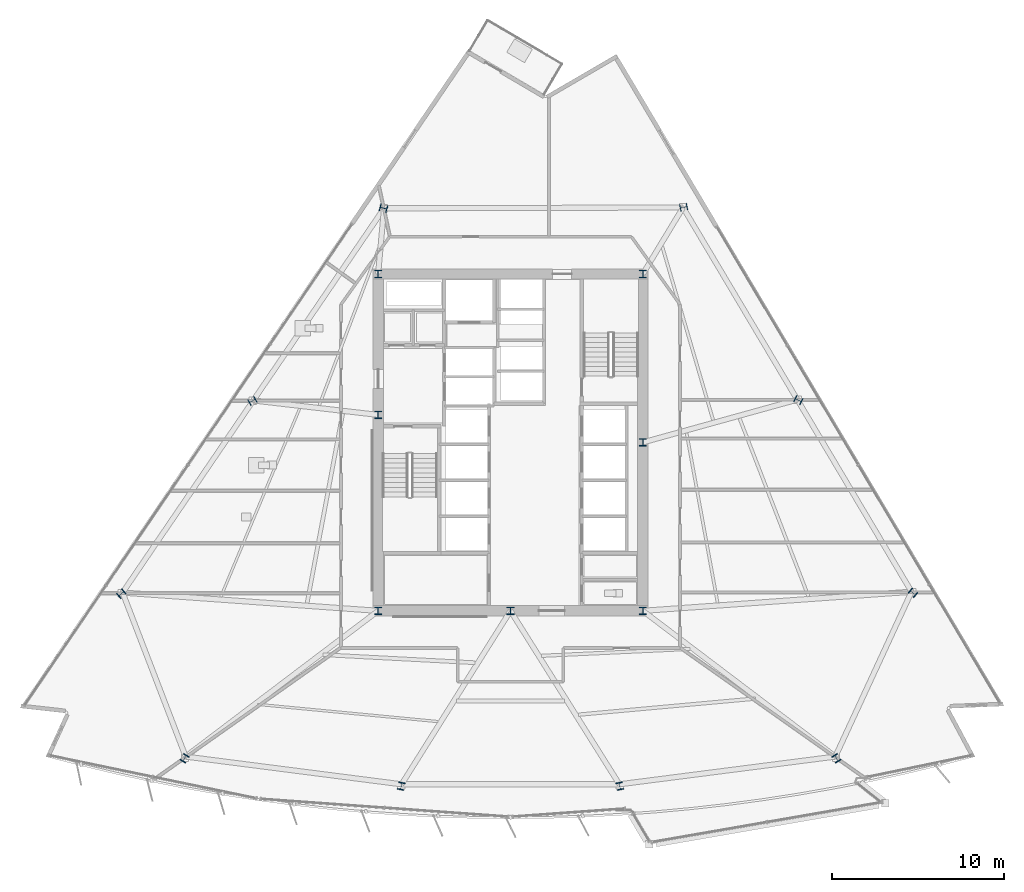
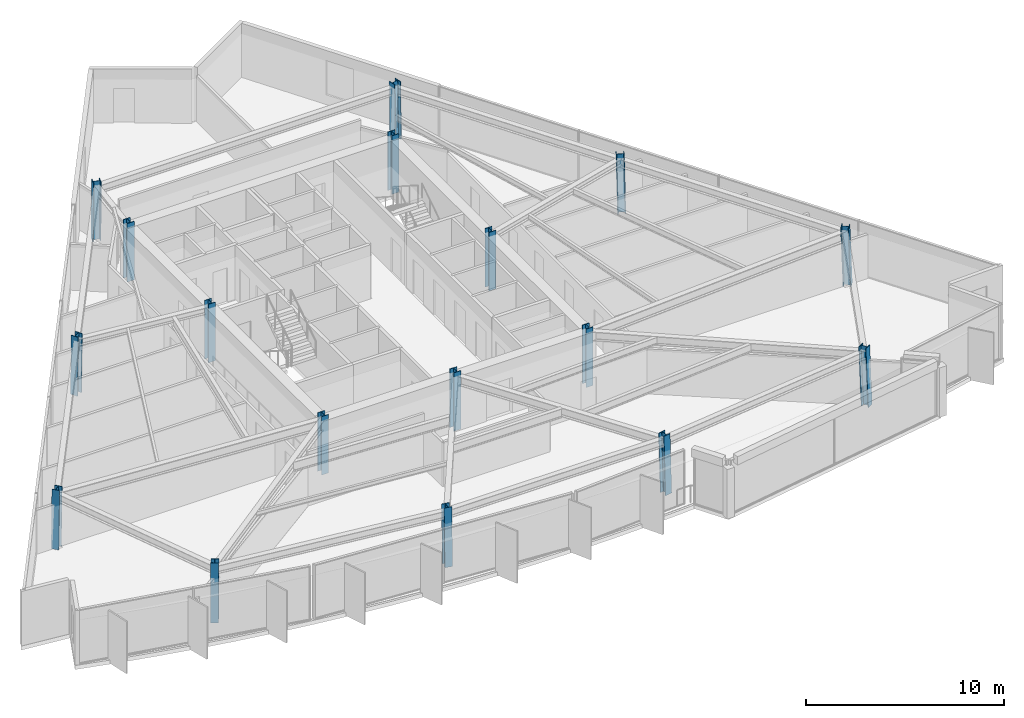
# One storey, part 1 of 15: 17 columns.
"""IFC4 building model written with IfcOpenShell, lengths in metres."""

from ifc_helpers import new_model, si_unit, direction, frame, origin, origin_2d, place, context, subcontext, project, spatial, i_section, extrude, material, material_profile, profile_set, type_object, element, save


model = new_model("IFC4")

# Units and contexts
model_context = context("Model", 3, precision=1e-05, world=origin(), true_north=direction((0.0, 1.0)))
body_context = subcontext(model_context, "Body", "Model", "MODEL_VIEW")
ifc_project = project(units=[si_unit("LENGTHUNIT", "METRE"), si_unit("AREAUNIT", "SQUARE_METRE"), si_unit("VOLUMEUNIT", "CUBIC_METRE"), si_unit("PLANEANGLEUNIT", "RADIAN"), si_unit("MASSUNIT", "GRAM", prefix="KILO")], contexts=[model_context])

# Site, building, storey
site_placement = place(None, origin())
site = spatial("IfcSite", under=ifc_project, at=site_placement, CompositionType="ELEMENT")
building_placement = place(site_placement, origin())
building = spatial("IfcBuilding", under=site, at=building_placement, Name="Savorim Split Tower", CompositionType="ELEMENT")
storey_placement = place(building_placement, frame((0.0, 0.0, 96.89990234375)))
storey = spatial("IfcBuildingStorey", under=building, at=storey_placement, Name="L25", CompositionType="ELEMENT", Elevation=96.89990234375)

# Columns
ifc_material = material(Name="Steel S460", Category="steel")
ifc_material_profile = material_profile(ifc_material, i_section(OverallWidth=0.408935546875, OverallDepth=0.425048828125, WebThickness=0.020751953125, FlangeThickness=0.033935546875, FilletRadius=0.014892578125, at=origin_2d()), Name="HD 400x421")
ifc_profile_set = profile_set([ifc_material_profile], Name="Steel S460")
column_type = type_object("IfcColumnType", Name="COL-HD-421", PredefinedType="COLUMN", material=ifc_profile_set)
for number, where, z_axis, x_axis, name in (
    (1, (-7.699951171875, -9.39990234375, 0.0), (0.0, 0.0, 1.0), (1.0, 0.0, 0.0), "L25 Core Structural Column TC-C1"),
    (2, (7.699951171875, -9.39990234375, 0.0), (0.0, 0.0, 1.0), (1.0, 0.0, 0.0), "L25 Core Structural Column TC-C2"),
    (3, (7.699951171875, 10.199951171875, 0.0), (0.0, 0.0, 1.0), (1.0, 0.0, 0.0), "L25 Core Structural Column TC-C3"),
    (4, (-7.699951171875, 10.199951171875, 0.0), (0.0, 0.0, 1.0), (1.0, 0.0, 0.0), "L25 Core Structural Column TC-C4"),
    (5, (0.0, -9.39990234375, 0.0), (0.0, 0.0, 1.0), (1.0, 0.0, 0.0), "L25 Core Structural Column TC-C5"),
    (6, (7.699951171875, 0.39990234375, 0.0), (0.0, 0.0, 1.0), (1.0, 0.0, 0.0), "L25 Core Structural Column TC-C6"),
    (7, (-7.699951171875, 2.0, 0.0), (0.0, 0.0, 1.0), (1.0, 0.0, 0.0), "L25 Core Structural Column TC-C7"),
):
    element("IfcColumn", number, at=place(storey_placement, frame(where, z_axis=z_axis, x_axis=x_axis)), inside=storey, type_object=column_type, Name=name, PredefinedType="COLUMN", context=body_context, shape_type="SweptSolid", body=[
        extrude(i_section(OverallWidth=0.408935546875, OverallDepth=0.425048828125, WebThickness=0.020751953125, FlangeThickness=0.033935546875, FilletRadius=0.014892578125, at=origin_2d()), origin(), (0.0, 0.0, 1.0), 3.60009765625),
    ])
column_1_placement = place(storey_placement, frame((-18.973388671875, -17.998779296875, 0.005615234375), z_axis=(0.020596339702, 0.033443561496, 0.99922836178), x_axis=(-0.851480003019, 0.52438707503, 0.0)))
element("IfcColumn", 8, at=column_1_placement, inside=storey, type_object=column_type, Name="L25 Tapered Perimeter Column PC-S1", PredefinedType="COLUMN", context=body_context, shape_type="SweptSolid", body=[
    extrude(i_section(OverallWidth=0.408935546875, OverallDepth=0.425048828125, WebThickness=0.020751953125, FlangeThickness=0.033935546875, FilletRadius=0.014892578125, at=origin_2d()), origin(), (0.0, 0.0, 1.0), 3.591552734375),
])
for number, where, z_axis, x_axis, name in (
    (9, (-6.35888671875, -19.618408203125, 0.005615234375), (0.006934288159, 0.035283289748, 0.999353293441), (-0.981229659911, 0.192842823335, 0.0), "L25 Tapered Perimeter Column PC-S2"),
    (10, (6.35888671875, -19.618408203125, 0.005615234375), (-0.006934288159, 0.035283289748, 0.999353293441), (-0.981229659911, -0.192842823335, 0.0), "L25 Tapered Perimeter Column PC-S3"),
):
    element("IfcColumn", number, at=place(storey_placement, frame(where, z_axis=z_axis, x_axis=x_axis)), inside=storey, type_object=column_type, Name=name, PredefinedType="COLUMN", context=body_context, shape_type="SweptSolid", body=[
        extrude(i_section(OverallWidth=0.408935546875, OverallDepth=0.425048828125, WebThickness=0.020751953125, FlangeThickness=0.033935546875, FilletRadius=0.014892578125, at=origin_2d()), origin(), (0.0, 0.0, 1.0), 3.59130859375),
    ])
column_2_placement = place(storey_placement, frame((18.973388671875, -17.998779296875, 0.005615234375), z_axis=(-0.020596339702, 0.033443561496, 0.99922836178), x_axis=(-0.851480003019, -0.52438707503, 0.0)))
element("IfcColumn", 11, at=column_2_placement, inside=storey, type_object=column_type, Name="L25 Tapered Perimeter Column PC-S4", PredefinedType="COLUMN", context=body_context, shape_type="SweptSolid", body=[
    extrude(i_section(OverallWidth=0.408935546875, OverallDepth=0.425048828125, WebThickness=0.020751953125, FlangeThickness=0.033935546875, FilletRadius=0.014892578125, at=origin_2d()), origin(), (0.0, 0.0, 1.0), 3.591552734375),
])
column_3_placement = place(storey_placement, frame((23.427734375, -8.366455078125, 0.005615234375), z_axis=(-0.026107436898, 0.021620221181, 0.999425318758), x_axis=(-0.637813971185, -0.770190455771, 0.0)))
element("IfcColumn", 12, at=column_3_placement, inside=storey, type_object=column_type, Name="L25 Tapered Perimeter Column PC-E1", PredefinedType="COLUMN", context=body_context, shape_type="SweptSolid", body=[
    extrude(i_section(OverallWidth=0.408935546875, OverallDepth=0.425048828125, WebThickness=0.020751953125, FlangeThickness=0.033935546875, FilletRadius=0.014892578125, at=origin_2d()), origin(), (0.0, 0.0, 1.0), 3.5908203125),
])
column_4_placement = place(storey_placement, frame((16.755126953125, 2.85498046875, 0.005615234375), z_axis=(-0.018907326549, 0.00952167524, 0.999775900241), x_axis=(-0.449781931574, -0.893138406984, 0.0)))
element("IfcColumn", 13, at=column_4_placement, inside=storey, type_object=column_type, Name="L25 Tapered Perimeter Column PC-E2", PredefinedType="COLUMN", context=body_context, shape_type="SweptSolid", body=[
    extrude(i_section(OverallWidth=0.408935546875, OverallDepth=0.425048828125, WebThickness=0.020751953125, FlangeThickness=0.033935546875, FilletRadius=0.014892578125, at=origin_2d()), origin(), (0.0, 0.0, 1.0), 3.589599609375),
])
for number, where, z_axis, x_axis, name in (
    (14, (10.082763671875, 14.076416015625, 0.005615234375), (-0.011767855299, -0.002516824544, 0.999927588966), (0.209143047003, -0.977885057607, 0.0), "L25 Tapered Perimeter Column PC-E3"),
    (15, (-7.390380859375, 14.027587890625, 0.005615234375), (0.008843163607, -0.002516900411, 0.999957730942), (0.273743828055, 0.961802639112, 0.0), "L25 Tapered Perimeter Column PC-W1"),
):
    element("IfcColumn", number, at=place(storey_placement, frame(where, z_axis=z_axis, x_axis=x_axis)), inside=storey, type_object=column_type, Name=name, PredefinedType="COLUMN", context=body_context, shape_type="SweptSolid", body=[
        extrude(i_section(OverallWidth=0.408935546875, OverallDepth=0.425048828125, WebThickness=0.020751953125, FlangeThickness=0.033935546875, FilletRadius=0.014892578125, at=origin_2d()), origin(), (0.0, 0.0, 1.0), 3.589111328125),
    ])
column_5_placement = place(storey_placement, frame((-15.024169921875, 2.80615234375, 0.005615234375), z_axis=(0.017071567417, 0.009521989794, 0.999808928394), x_axis=(-0.487119351792, 0.873335409284, 0.0)))
element("IfcColumn", 16, at=column_5_placement, inside=storey, type_object=column_type, Name="L25 Tapered Perimeter Column PC-W2", PredefinedType="COLUMN", context=body_context, shape_type="SweptSolid", body=[
    extrude(i_section(OverallWidth=0.408935546875, OverallDepth=0.425048828125, WebThickness=0.020751953125, FlangeThickness=0.033935546875, FilletRadius=0.014892578125, at=origin_2d()), origin(), (0.0, 0.0, 1.0), 3.589599609375),
])
column_6_placement = place(storey_placement, frame((-22.657958984375, -8.415283203125, 0.005615234375), z_axis=(0.025292109804, 0.02162067451, 0.999446274502), x_axis=(-0.649781149204, 0.760121344352, 0.0)))
element("IfcColumn", 17, at=column_6_placement, inside=storey, type_object=column_type, Name="L25 Tapered Perimeter Column PC-W3", PredefinedType="COLUMN", context=body_context, shape_type="SweptSolid", body=[
    extrude(i_section(OverallWidth=0.408935546875, OverallDepth=0.425048828125, WebThickness=0.020751953125, FlangeThickness=0.033935546875, FilletRadius=0.014892578125, at=origin_2d()), origin(), (0.0, 0.0, 1.0), 3.5908203125),
])

save(model, "model.ifc")
